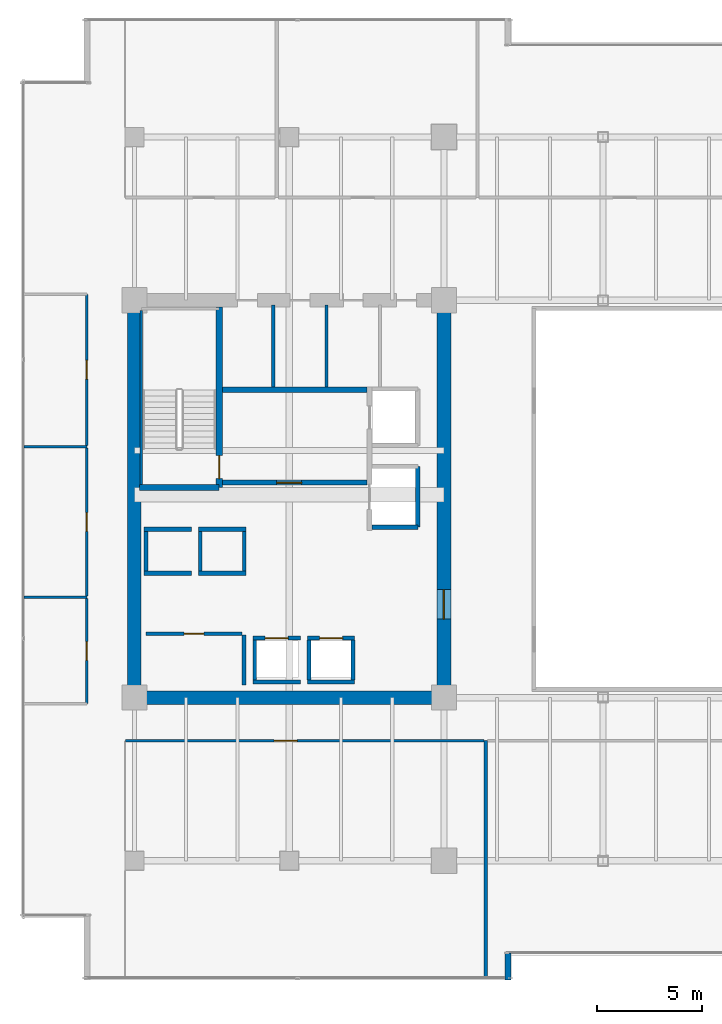
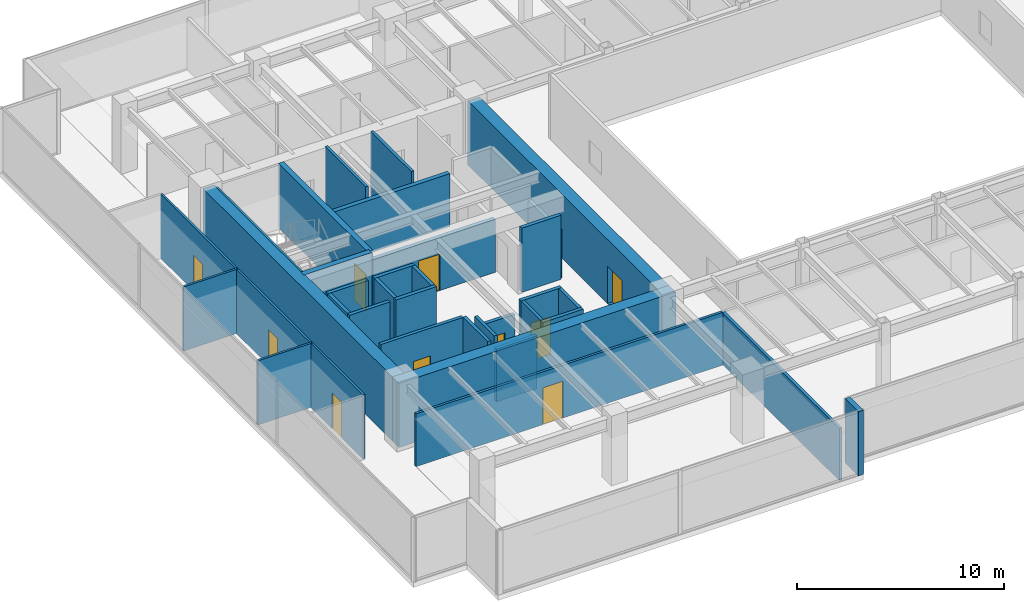
# One storey, part 25 of 33: 36 walls, 10 doors, 10 openings.
"""IFC4 building model written with IfcOpenShell, lengths in metres."""

from ifc_helpers import new_model, si_unit, direction, frame, frame_2d, origin, place, context, subcontext, project, spatial, rectangle, extrude, source, transform, mapped, material, layer, layer_set, type_object, type_shapes, element, fill, save


model = new_model("IFC4")

# Units and contexts
model_context = context("Model", 3, precision=1e-05, world=origin(), true_north=direction((0.0, 1.0)))
body_context = subcontext(model_context, "Body", "Model", "MODEL_VIEW")
ifc_project = project(units=[si_unit("LENGTHUNIT", "METRE"), si_unit("AREAUNIT", "SQUARE_METRE"), si_unit("VOLUMEUNIT", "CUBIC_METRE"), si_unit("PLANEANGLEUNIT", "RADIAN"), si_unit("MASSUNIT", "GRAM", prefix="KILO")], contexts=[model_context])

# Site, building, storey
site_placement = place(None, origin())
site = spatial("IfcSite", under=ifc_project, at=site_placement, CompositionType="ELEMENT")
building_placement = place(site_placement, origin())
building = spatial("IfcBuilding", under=site, at=building_placement, Name="Haelvirn Gate Laboratories", CompositionType="ELEMENT")
storey_placement = place(building_placement, frame((0.0, 0.0, 137.89990234375)))
storey = spatial("IfcBuildingStorey", under=building, at=storey_placement, Name="L33", CompositionType="ELEMENT", Elevation=137.89990234375)

# Walls
ifc_material_1 = material(Name="Thermally-broken bronze aluminium rainscreen & mineral wool", Category="aluminium")
ifc_layer_1 = layer(ifc_material_1, 0.280029296875, Name="EW-TERR-280")
ifc_layer_set_1 = layer_set([ifc_layer_1], Name="Thermally-broken bronze aluminium rainscreen & mineral wool")
wall_type_1 = type_object("IfcWallType", Name="EW-TERR-280", PredefinedType="STANDARD", material=ifc_layer_set_1)
wall_1_placement = place(storey_placement, frame((25.260009765625, 1.300048828125, 0.0), z_axis=(0.0, 0.0, 1.0), x_axis=(0.0, 1.0, 0.0)))
element("IfcWall", 1, at=wall_1_placement, inside=storey, type_object=wall_type_1, Name="L33 Atrium Recess Bronze Return Wall 01", PredefinedType="STANDARD", context=body_context, shape_type="SweptSolid", body=[
    extrude(rectangle(XDim=1.287841796875, YDim=0.280029296875, at=frame_2d((0.64404296875, 0.0))), origin(), (0.0, 0.0, 1.0), 3.7900390625),
])
ifc_material_2 = material(Name="Double-layer acoustic gypsum laboratory partition", Category="gypsum")
ifc_layer_2 = layer(ifc_material_2, 0.159912109375, Name="IW-ACOUST-160")
ifc_layer_set_2 = layer_set([ifc_layer_2], Name="Double-layer acoustic gypsum laboratory partition")
wall_type_2 = type_object("IfcWallType", Name="IW-ACOUST-160", PredefinedType="PARTITIONING", material=ifc_layer_set_2)
wall_2_placement = place(storey_placement, frame((24.199951171875, 1.409912109375, 0.0), z_axis=(0.0, 0.0, 1.0), x_axis=(0.0, 1.0, 0.0)))
element("IfcWall", 2, at=wall_2_placement, inside=storey, type_object=wall_type_2, Name="L33 Interior Wall IW-L33-SDIV-01", PredefinedType="PARTITIONING", context=body_context, shape_type="SweptSolid", body=[
    extrude(rectangle(XDim=11.330078125, YDim=0.159912109375, at=frame_2d((5.6650390625, 0.0))), origin(), (0.0, 0.0, 1.0), 3.0751953125),
])

# Wall, opening, door
ifc_material_3 = material(Name="Lightweight acoustic gypsum board partition", Category="gypsum")
ifc_layer_3 = layer(ifc_material_3, 0.1201171875, Name="IW-PART-120")
ifc_layer_set_3 = layer_set([ifc_layer_3], Name="Lightweight acoustic gypsum board partition")
wall_type_3 = type_object("IfcWallType", Name="IW-PART-120", PredefinedType="PARTITIONING", material=ifc_layer_set_3)
wall_3_placement = place(storey_placement, frame((5.1298828125, 14.514892578125, 0.0), z_axis=(0.0, 0.0, 1.0), x_axis=(0.0, 1.0, 0.0)))
wall_3 = element("IfcWall", 3, at=wall_3_placement, inside=storey, type_object=wall_type_3, Name="L33 Interior Wall IW-L33-WPASS-01", PredefinedType="PARTITIONING", context=body_context, shape_type="SweptSolid", body=[
    extrude(rectangle(XDim=5.025146484375, YDim=0.1201171875, at=frame_2d((2.5126953125, 0.0))), origin(), (0.0, 0.0, 1.0), 3.7900390625),
])
opening_1_placement = place(wall_3_placement, frame((2.0625, 0.0, 0.0)))
opening_1 = element("IfcOpeningElement", 4, at=opening_1_placement, cuts=wall_3, Name="Opening D4", PredefinedType="OPENING", context=body_context, shape_type="SweptSolid", body=[
    extrude(rectangle(XDim=0.89990234375, YDim=2.10009765625, at=frame_2d((0.449951171875, 1.050048828125))), frame((0.0, 0.070068359375, 0.0), z_axis=(0.0, -1.0, 0.0), x_axis=(1.0, 0.0, 0.0)), (0.0, 0.0, 1.0), 0.14013671875),
])
ifc_material_4 = material(Name="Glazed aluminium-framed write-up door", Category="aluminium")
door_type_1 = type_object("IfcDoorType", Name="DR-OFF-900", OperationType="NOTDEFINED", PredefinedType="DOOR", material=ifc_material_4)
shared_shape_1 = source(origin(), body_context, "Body", "SweptSolid", [
    extrude(rectangle(XDim=0.89990234375, YDim=2.10009765625, at=frame_2d((0.449951171875, 1.050048828125))), frame((0.0, 0.02490234375, 0.0), z_axis=(0.0, -1.0, 0.0), x_axis=(1.0, 0.0, 0.0)), (0.0, 0.0, 1.0), 0.050048828125),
])
type_shapes(door_type_1, [shared_shape_1])
door_1_placement = place(opening_1_placement, origin())
door_1 = element("IfcDoor", 5, at=door_1_placement, inside=storey, type_object=door_type_1, Name="L33 Bioprocess Foundry Laboratory Door W1", OperationType="SINGLE_SWING_LEFT", OverallHeight=2.10009765625, OverallWidth=0.89990234375, PredefinedType="DOOR", context=body_context, shape_type="MappedRepresentation", body=[
    mapped(shared_shape_1, transform((0.0, 0.0, 0.0), scale=1.0)),
])
fill(opening_1, door_1)

# Wall
wall_4_placement = place(storey_placement, frame((2.110107421875, 19.60009765625, 0.0), z_axis=(0.0, 0.0, 1.0), x_axis=(1.0, 0.0, 0.0)))
element("IfcWall", 6, at=wall_4_placement, inside=storey, type_object=wall_type_3, Name="L33 Interior Wall IW-L33-WDIV-01", PredefinedType="PARTITIONING", context=body_context, shape_type="SweptSolid", body=[
    extrude(rectangle(XDim=3.019775390625, YDim=0.1201171875, at=frame_2d((1.509765625, 0.0))), origin(), (0.0, 0.0, 1.0), 3.7900390625),
])

# Wall, opening, door
wall_5_placement = place(storey_placement, frame((5.1298828125, 19.659912109375, 0.0), z_axis=(0.0, 0.0, 1.0), x_axis=(0.0, 1.0, 0.0)))
wall_5 = element("IfcWall", 7, at=wall_5_placement, inside=storey, type_object=wall_type_3, Name="L33 Interior Wall IW-L33-WPASS-02", PredefinedType="PARTITIONING", context=body_context, shape_type="SweptSolid", body=[
    extrude(rectangle(XDim=7.080078125, YDim=0.1201171875, at=frame_2d((3.5400390625, 0.0))), origin(), (0.0, 0.0, 1.0), 3.7900390625),
])
opening_2_placement = place(wall_5_placement, frame((3.090087890625, 0.0, 0.0)))
opening_2 = element("IfcOpeningElement", 8, at=opening_2_placement, cuts=wall_5, Name="Opening D4", PredefinedType="OPENING", context=body_context, shape_type="SweptSolid", body=[
    extrude(rectangle(XDim=0.89990234375, YDim=2.10009765625, at=frame_2d((0.449951171875, 1.050048828125))), frame((0.0, 0.070068359375, 0.0), z_axis=(0.0, -1.0, 0.0), x_axis=(1.0, 0.0, 0.0)), (0.0, 0.0, 1.0), 0.14013671875),
])
door_2_placement = place(opening_2_placement, origin())
door_2 = element("IfcDoor", 9, at=door_2_placement, inside=storey, type_object=door_type_1, Name="L33 Genomics Assay Laboratory Door W2", OperationType="SINGLE_SWING_RIGHT", OverallHeight=2.10009765625, OverallWidth=0.89990234375, PredefinedType="DOOR", context=body_context, shape_type="MappedRepresentation", body=[
    mapped(shared_shape_1, transform((0.0, 0.0, 0.0), scale=1.0)),
])
fill(opening_2, door_2)

# Wall
wall_6_placement = place(storey_placement, frame((2.110107421875, 26.800048828125, 0.0), z_axis=(0.0, 0.0, 1.0), x_axis=(1.0, 0.0, 0.0)))
element("IfcWall", 10, at=wall_6_placement, inside=storey, type_object=wall_type_3, Name="L33 Interior Wall IW-L33-WDIV-02", PredefinedType="PARTITIONING", context=body_context, shape_type="SweptSolid", body=[
    extrude(rectangle(XDim=3.019775390625, YDim=0.1201171875, at=frame_2d((1.509765625, 0.0))), origin(), (0.0, 0.0, 1.0), 3.7900390625),
])

# Wall, opening, door
wall_7_placement = place(storey_placement, frame((5.1298828125, 26.860107421875, 0.0), z_axis=(0.0, 0.0, 1.0), x_axis=(0.0, 1.0, 0.0)))
wall_7 = element("IfcWall", 11, at=wall_7_placement, inside=storey, type_object=wall_type_3, Name="L33 Interior Wall IW-L33-WPASS-03", PredefinedType="PARTITIONING", context=body_context, shape_type="SweptSolid", body=[
    extrude(rectangle(XDim=7.224853515625, YDim=0.1201171875, at=frame_2d((3.6123046875, 0.0))), origin(), (0.0, 0.0, 1.0), 3.7900390625),
])
opening_3_placement = place(wall_7_placement, frame((3.16259765625, 0.0, 0.0)))
opening_3 = element("IfcOpeningElement", 12, at=opening_3_placement, cuts=wall_7, Name="Opening D4", PredefinedType="OPENING", context=body_context, shape_type="SweptSolid", body=[
    extrude(rectangle(XDim=0.89990234375, YDim=2.10009765625, at=frame_2d((0.449951171875, 1.050048828125))), frame((0.0, 0.070068359375, 0.0), z_axis=(0.0, -1.0, 0.0), x_axis=(1.0, 0.0, 0.0)), (0.0, 0.0, 1.0), 0.14013671875),
])
door_3_placement = place(opening_3_placement, origin())
door_3 = element("IfcDoor", 13, at=door_3_placement, inside=storey, type_object=door_type_1, Name="L33 Proteomics Mass-Spec Laboratory Door W3", OperationType="SINGLE_SWING_LEFT", OverallHeight=2.10009765625, OverallWidth=0.89990234375, PredefinedType="DOOR", context=body_context, shape_type="MappedRepresentation", body=[
    mapped(shared_shape_1, transform((0.0, 0.0, 0.0), scale=1.0)),
])
fill(opening_3, door_3)

ifc_material_5 = material(Name="Acoustic mineral-wool gypsum board partition", Category="gypsum")
ifc_layer_4 = layer(ifc_material_5, 0.139892578125, Name="IW-PART-140")
ifc_layer_set_4 = layer_set([ifc_layer_4], Name="Acoustic mineral-wool gypsum board partition")
wall_type_4 = type_object("IfcWallType", Name="IW-PART-140", PredefinedType="PARTITIONING", material=ifc_layer_set_4)
wall_8_placement = place(storey_placement, frame((6.97998046875, 12.739990234375, 0.0), z_axis=(0.0, 0.0, 1.0), x_axis=(1.0, 0.0, 0.0)))
wall_8 = element("IfcWall", 14, at=wall_8_placement, inside=storey, type_object=wall_type_4, Name="L33 Interior Wall IW-L33-SCORR-01", PredefinedType="PARTITIONING", context=body_context, shape_type="SweptSolid", body=[
    extrude(rectangle(XDim=17.14013671875, YDim=0.139892578125, at=frame_2d((8.570068359375, 0.0))), origin(), (0.0, 0.0, 1.0), 3.125),
])
opening_4_placement = place(wall_8_placement, frame((7.099609375, 0.0, 0.0)))
opening_4 = element("IfcOpeningElement", 15, at=opening_4_placement, cuts=wall_8, Name="Opening D1", PredefinedType="OPENING", context=body_context, shape_type="SweptSolid", body=[
    extrude(rectangle(XDim=1.10009765625, YDim=2.179931640625, at=frame_2d((0.550048828125, 1.08984375))), frame((0.0, 0.080078125, 0.0), z_axis=(0.0, -1.0, 0.0), x_axis=(1.0, 0.0, 0.0)), (0.0, 0.0, 1.0), 0.159912109375),
])
ifc_material_6 = material(Name="Vision-panel acoustic solid-core timber lab door", Category="wood")
door_type_2 = type_object("IfcDoorType", Name="DR-LAB-1100", OperationType="NOTDEFINED", PredefinedType="DOOR", material=ifc_material_6)
shared_shape_2 = source(origin(), body_context, "Body", "SweptSolid", [
    extrude(rectangle(XDim=1.10009765625, YDim=2.179931640625, at=frame_2d((0.550048828125, 1.08984375))), frame((0.0, 0.02490234375, 0.0), z_axis=(0.0, -1.0, 0.0), x_axis=(1.0, 0.0, 0.0)), (0.0, 0.0, 1.0), 0.050048828125),
])
type_shapes(door_type_2, [shared_shape_2])
door_4_placement = place(opening_4_placement, origin())
door_4 = element("IfcDoor", 16, at=door_4_placement, inside=storey, type_object=door_type_2, Name="L33 Bioinformatics Dry-Lab Workspace Door S1", OperationType="SINGLE_SWING_RIGHT", OverallHeight=2.179931640625, OverallWidth=1.10009765625, PredefinedType="DOOR", context=body_context, shape_type="MappedRepresentation", body=[
    mapped(shared_shape_2, transform((0.0, 0.0, 0.0), scale=1.0)),
])
fill(opening_4, door_4)

# Walls
ifc_material_7 = material(Name="Cement-board restroom plumbing chase wall", Category="gypsum")
ifc_layer_5 = layer(ifc_material_7, 0.155029296875, Name="IW-PLUMB-160")
ifc_layer_set_5 = layer_set([ifc_layer_5], Name="Cement-board restroom plumbing chase wall")
wall_type_5 = type_object("IfcWallType", Name="IW-PLUMB-160", PredefinedType="PLUMBINGWALL", material=ifc_layer_set_5)
for number, where, z_axis, x_axis, name in (
    (17, (14.0400390625, 29.64990234375, 0.0), (0.0, 0.0, 1.0), (0.0, 1.0, 0.0), "L33 Interior Wall IW-L33-W-CDIV-1"),
    (18, (16.590087890625, 29.64990234375, 0.0), (0.0, 0.0, 1.0), (0.0, 1.0, 0.0), "L33 Interior Wall IW-L33-W-CDIV-2"),
):
    element("IfcWall", number, at=place(storey_placement, frame(where, z_axis=z_axis, x_axis=x_axis)), inside=storey, type_object=wall_type_5, Name=name, PredefinedType="PLUMBINGWALL", context=body_context, shape_type="SweptSolid", body=[
        extrude(rectangle(XDim=3.93017578125, YDim=0.155029296875, at=frame_2d((1.965087890625, 0.0))), origin(), (0.0, 0.0, 1.0), 3.7900390625),
    ])
ifc_material_8 = material(Name="Concrete C40/50", Category="concrete")
ifc_layer_6 = layer(ifc_material_8, 0.179931640625, Name="IW-SHAFT-180")
ifc_layer_set_6 = layer_set([ifc_layer_6], Name="Concrete C40/50")
wall_type_6 = type_object("IfcWallType", Name="IW-SHAFT-180", PredefinedType="SOLIDWALL", material=ifc_layer_set_6)
for number, where, z_axis, x_axis, name in (
    (19, (13.14990234375, 15.64990234375, 0.0), (0.0, 0.0, 1.0), (0.0, 1.0, 0.0), "L33 Interior Wall IW-L33-PL5-SD"),
    (20, (15.75, 15.64990234375, 0.0), (0.0, 0.0, 1.0), (0.0, 1.0, 0.0), "L33 Interior Wall IW-L33-PL6-SD"),
    (21, (17.85009765625, 15.64990234375, 0.0), (0.0, 0.0, 1.0), (0.0, 1.0, 0.0), "L33 Interior Wall IW-L33-PL6-SDE"),
):
    element("IfcWall", number, at=place(storey_placement, frame(where, z_axis=z_axis, x_axis=x_axis)), inside=storey, type_object=wall_type_6, Name=name, PredefinedType="SOLIDWALL", context=body_context, shape_type="SweptSolid", body=[
        extrude(rectangle(XDim=1.900146484375, YDim=0.179931640625, at=frame_2d((0.9501953125, 0.0))), origin(), (0.0, 0.0, 1.0), 3.7900390625),
    ])
for number, where, z_axis, x_axis, name in (
    (22, (7.949951171875, 20.85009765625, 0.0), (0.0, 0.0, 1.0), (0.0, 1.0, 0.0), "L33 Interior Wall IW-L33-PL9-SD"),
    (23, (10.550048828125, 20.85009765625, 0.0), (0.0, 0.0, 1.0), (0.0, 1.0, 0.0), "L33 Interior Wall IW-L33-PL10-SD"),
    (24, (12.64990234375, 20.85009765625, 0.0), (0.0, 0.0, 1.0), (0.0, 1.0, 0.0), "L33 Interior Wall IW-L33-PL10-SDE"),
):
    element("IfcWall", number, at=place(storey_placement, frame(where, z_axis=z_axis, x_axis=x_axis)), inside=storey, type_object=wall_type_6, Name=name, PredefinedType="SOLIDWALL", context=body_context, shape_type="SweptSolid", body=[
        extrude(rectangle(XDim=1.89990234375, YDim=0.179931640625, at=frame_2d((0.949951171875, 0.0))), origin(), (0.0, 0.0, 1.0), 3.7900390625),
    ])

# Wall, opening, door
wall_9_placement = place(storey_placement, frame((7.949951171875, 17.85009765625, 0.0), z_axis=(0.0, 0.0, 1.0), x_axis=(1.0, 0.0, 0.0)))
wall_9 = element("IfcWall", 25, at=wall_9_placement, inside=storey, type_object=wall_type_6, Name="L33 Interior Wall IW-L33-W-FREED-LN-1", PredefinedType="SOLIDWALL", context=body_context, shape_type="SweptSolid", body=[
    extrude(rectangle(XDim=4.60009765625, YDim=0.179931640625, at=frame_2d((2.300048828125, 0.0))), origin(), (0.0, 0.0, 1.0), 3.7900390625),
])
opening_5_placement = place(wall_9_placement, frame((1.824951171875, 0.0, 0.0)))
opening_5 = element("IfcOpeningElement", 26, at=opening_5_placement, cuts=wall_9, Name="Opening FD4", PredefinedType="OPENING", context=body_context, shape_type="SweptSolid", body=[
    extrude(rectangle(XDim=0.949951171875, YDim=2.14990234375, at=frame_2d((0.47509765625, 1.074951171875))), frame((0.0, 0.10009765625, 0.0), z_axis=(0.0, -1.0, 0.0), x_axis=(1.0, 0.0, 0.0)), (0.0, 0.0, 1.0), 0.199951171875),
])
ifc_material_9 = material(Name="Fire-rated steel SM355 core service door", Category="steel")
door_type_3 = type_object("IfcDoorType", Name="DR-FD-950", OperationType="NOTDEFINED", PredefinedType="DOOR", material=ifc_material_9)
shared_shape_3 = source(origin(), body_context, "Body", "SweptSolid", [
    extrude(rectangle(XDim=0.949951171875, YDim=2.14990234375, at=frame_2d((0.47509765625, 1.074951171875))), frame((0.0, 0.02490234375, 0.0), z_axis=(0.0, -1.0, 0.0), x_axis=(1.0, 0.0, 0.0)), (0.0, 0.0, 1.0), 0.050048828125),
])
type_shapes(door_type_3, [shared_shape_3])
door_5_placement = place(opening_5_placement, origin())
door_5 = element("IfcDoor", 27, at=door_5_placement, inside=storey, type_object=door_type_3, Name="L33 Autoclave & Glasswash Room Door", OperationType="SINGLE_SWING_LEFT", OverallHeight=2.14990234375, OverallWidth=0.949951171875, PredefinedType="DOOR", context=body_context, shape_type="MappedRepresentation", body=[
    mapped(shared_shape_3, transform((0.0, 0.0, 0.0), scale=1.0)),
])
fill(opening_5, door_5)

# Wall
wall_10_placement = place(storey_placement, frame((12.639892578125, 15.39990234375, 0.0), z_axis=(0.0, 0.0, 1.0), x_axis=(0.0, 1.0, 0.0)))
element("IfcWall", 28, at=wall_10_placement, inside=storey, type_object=wall_type_6, Name="L33 Interior Wall IW-L33-W-FREED-LE-1", PredefinedType="SOLIDWALL", context=body_context, shape_type="SweptSolid", body=[
    extrude(rectangle(XDim=2.400146484375, YDim=0.179931640625, at=frame_2d((1.2001953125, 0.0))), origin(), (0.0, 0.0, 1.0), 3.7900390625),
])

# Wall, opening, door
ifc_layer_7 = layer(ifc_material_8, 0.199951171875, Name="IW-SHAFT-200")
ifc_layer_set_7 = layer_set([ifc_layer_7], Name="Concrete C40/50")
wall_type_7 = type_object("IfcWallType", Name="IW-SHAFT-200", PredefinedType="SOLIDWALL", material=ifc_layer_set_7)
wall_11_placement = place(storey_placement, frame((13.070068359375, 17.64990234375, 0.0), z_axis=(0.0, 0.0, 1.0), x_axis=(1.0, 0.0, 0.0)))
wall_11 = element("IfcWall", 29, at=wall_11_placement, inside=storey, type_object=wall_type_7, Name="L33 Interior Wall IW-L33-PL5-FR", PredefinedType="SOLIDWALL", context=body_context, shape_type="SweptSolid", body=[
    extrude(rectangle(XDim=2.260009765625, YDim=0.199951171875, at=frame_2d((1.1298828125, 0.0))), origin(), (0.0, 0.0, 1.0), 3.125),
])
opening_6_placement = place(wall_11_placement, frame((0.580078125, 0.0, 0.0)))
opening_6 = element("IfcOpeningElement", 30, at=opening_6_placement, cuts=wall_11, Name="Opening LD2", PredefinedType="OPENING", context=body_context, shape_type="SweptSolid", body=[
    extrude(rectangle(XDim=1.10009765625, YDim=2.219970703125, at=frame_2d((0.550048828125, 1.10986328125))), frame((0.0, 0.10986328125, 0.0), z_axis=(0.0, -1.0, 0.0), x_axis=(1.0, 0.0, 0.0)), (0.0, 0.0, 1.0), 0.219970703125),
])
ifc_material_10 = material(Name="Bronze stainless 316L sliding lift landing door")
door_type_4 = type_object("IfcDoorType", Name="DR-LD-1100", OperationType="NOTDEFINED", PredefinedType="USERDEFINED", material=ifc_material_10)
shared_shape_4 = source(origin(), body_context, "Body", "SweptSolid", [
    extrude(rectangle(XDim=1.10009765625, YDim=2.219970703125, at=frame_2d((0.550048828125, 1.10986328125))), frame((0.0, 0.02490234375, 0.0), z_axis=(0.0, -1.0, 0.0), x_axis=(1.0, 0.0, 0.0)), (0.0, 0.0, 1.0), 0.050048828125),
])
type_shapes(door_type_4, [shared_shape_4])
door_6_placement = place(opening_6_placement, origin())
door_6 = element("IfcDoor", 31, at=door_6_placement, inside=storey, type_object=door_type_4, Name="L33 Passenger Lift PL5 Landing Door", ObjectType="LANDING_DOOR", OperationType="SLIDING_TO_LEFT", OverallHeight=2.219970703125, OverallWidth=1.10009765625, PredefinedType="USERDEFINED", context=body_context, shape_type="MappedRepresentation", body=[
    mapped(shared_shape_4, transform((0.0, 0.0, 0.0), scale=1.0)),
])
fill(opening_6, door_6)

# Wall
wall_12_placement = place(storey_placement, frame((13.070068359375, 15.550048828125, 0.0), z_axis=(0.0, 0.0, 1.0), x_axis=(1.0, 0.0, 0.0)))
element("IfcWall", 32, at=wall_12_placement, inside=storey, type_object=wall_type_7, Name="L33 Interior Wall IW-L33-PL5-BK", PredefinedType="SOLIDWALL", context=body_context, shape_type="SweptSolid", body=[
    extrude(rectangle(XDim=2.260009765625, YDim=0.199951171875, at=frame_2d((1.1298828125, 0.0))), origin(), (0.0, 0.0, 1.0), 3.125),
])

# Wall, opening, door
wall_13_placement = place(storey_placement, frame((15.669921875, 17.64990234375, 0.0), z_axis=(0.0, 0.0, 1.0), x_axis=(1.0, 0.0, 0.0)))
wall_13 = element("IfcWall", 33, at=wall_13_placement, inside=storey, type_object=wall_type_7, Name="L33 Interior Wall IW-L33-PL6-FR", PredefinedType="SOLIDWALL", context=body_context, shape_type="SweptSolid", body=[
    extrude(rectangle(XDim=2.260009765625, YDim=0.199951171875, at=frame_2d((1.1298828125, 0.0))), origin(), (0.0, 0.0, 1.0), 3.7900390625),
])
opening_7_placement = place(wall_13_placement, frame((0.580078125, 0.0, 0.0)))
opening_7 = element("IfcOpeningElement", 34, at=opening_7_placement, cuts=wall_13, Name="Opening LD2", PredefinedType="OPENING", context=body_context, shape_type="SweptSolid", body=[
    extrude(rectangle(XDim=1.10009765625, YDim=2.219970703125, at=frame_2d((0.550048828125, 1.10986328125))), frame((0.0, 0.10986328125, 0.0), z_axis=(0.0, -1.0, 0.0), x_axis=(1.0, 0.0, 0.0)), (0.0, 0.0, 1.0), 0.219970703125),
])
door_7_placement = place(opening_7_placement, origin())
door_7 = element("IfcDoor", 35, at=door_7_placement, inside=storey, type_object=door_type_4, Name="L33 Passenger Lift PL6 Landing Door", ObjectType="LANDING_DOOR", OperationType="SLIDING_TO_RIGHT", OverallHeight=2.219970703125, OverallWidth=1.10009765625, PredefinedType="USERDEFINED", context=body_context, shape_type="MappedRepresentation", body=[
    mapped(shared_shape_4, transform((0.0, 0.0, 0.0), scale=1.0)),
])
fill(opening_7, door_7)

# Walls
wall_14_placement = place(storey_placement, frame((15.669921875, 15.550048828125, 0.0), z_axis=(0.0, 0.0, 1.0), x_axis=(1.0, 0.0, 0.0)))
element("IfcWall", 36, at=wall_14_placement, inside=storey, type_object=wall_type_7, Name="L33 Interior Wall IW-L33-PL6-BK", PredefinedType="SOLIDWALL", context=body_context, shape_type="SweptSolid", body=[
    extrude(rectangle(XDim=2.260009765625, YDim=0.199951171875, at=frame_2d((1.1298828125, 0.0))), origin(), (0.0, 0.0, 1.0), 3.7900390625),
])
for number, where, z_axis, x_axis, name in (
    (37, (7.8701171875, 20.75, 0.0), (0.0, 0.0, 1.0), (1.0, 0.0, 0.0), "L33 Interior Wall IW-L33-PL9-FR"),
    (38, (7.8701171875, 22.85009765625, 0.0), (0.0, 0.0, 1.0), (1.0, 0.0, 0.0), "L33 Interior Wall IW-L33-PL9-BK"),
):
    element("IfcWall", number, at=place(storey_placement, frame(where, z_axis=z_axis, x_axis=x_axis)), inside=storey, type_object=wall_type_7, Name=name, PredefinedType="SOLIDWALL", context=body_context, shape_type="SweptSolid", body=[
        extrude(rectangle(XDim=2.259765625, YDim=0.199951171875, at=frame_2d((1.1298828125, 0.0))), origin(), (0.0, 0.0, 1.0), 3.7900390625),
    ])
for number, where, z_axis, x_axis, name in (
    (39, (10.469970703125, 20.75, 0.0), (0.0, 0.0, 1.0), (1.0, 0.0, 0.0), "L33 Interior Wall IW-L33-PL10-FR"),
    (40, (10.469970703125, 22.85009765625, 0.0), (0.0, 0.0, 1.0), (1.0, 0.0, 0.0), "L33 Interior Wall IW-L33-PL10-BK"),
):
    element("IfcWall", number, at=place(storey_placement, frame(where, z_axis=z_axis, x_axis=x_axis)), inside=storey, type_object=wall_type_7, Name=name, PredefinedType="SOLIDWALL", context=body_context, shape_type="SweptSolid", body=[
        extrude(rectangle(XDim=2.260009765625, YDim=0.199951171875, at=frame_2d((1.1298828125, 0.0))), origin(), (0.0, 0.0, 1.0), 3.7900390625),
    ])
wall_15_placement = place(storey_placement, frame((20.949951171875, 22.949951171875, 0.0), z_axis=(0.0, 0.0, 1.0), x_axis=(0.0, 1.0, 0.0)))
element("IfcWall", 41, at=wall_15_placement, inside=storey, type_object=wall_type_7, Name="L33 Interior Wall IW-L33-SL1-BK", PredefinedType="SOLIDWALL", context=body_context, shape_type="SweptSolid", body=[
    extrude(rectangle(XDim=2.900146484375, YDim=0.199951171875, at=frame_2d((1.4501953125, 0.0))), origin(), (0.0, 0.0, 1.0), 2.875),
])
wall_16_placement = place(storey_placement, frame((18.760009765625, 22.949951171875, 0.0), z_axis=(0.0, 0.0, 1.0), x_axis=(1.0, 0.0, 0.0)))
element("IfcWall", 42, at=wall_16_placement, inside=storey, type_object=wall_type_7, Name="L33 Interior Wall IW-L33-SL1-S", PredefinedType="SOLIDWALL", context=body_context, shape_type="SweptSolid", body=[
    extrude(rectangle(XDim=2.18994140625, YDim=0.199951171875, at=frame_2d((1.094970703125, 0.0))), origin(), (0.0, 0.0, 1.0), 3.7900390625),
])

# Wall, opening, door
ifc_layer_8 = layer(ifc_material_8, 0.239990234375, Name="IW-SHAFT-240")
ifc_layer_set_8 = layer_set([ifc_layer_8], Name="Concrete C40/50")
wall_type_8 = type_object("IfcWallType", Name="IW-SHAFT-240", PredefinedType="SOLIDWALL", material=ifc_layer_set_8)
wall_17_placement = place(storey_placement, frame((11.60009765625, 25.080078125, 0.0), z_axis=(0.0, 0.0, 1.0), x_axis=(1.0, 0.0, 0.0)))
wall_17 = element("IfcWall", 43, at=wall_17_placement, inside=storey, type_object=wall_type_8, Name="L33 Interior Wall IW-L33-W-FF-S", PredefinedType="SOLIDWALL", context=body_context, shape_type="SweptSolid", body=[
    extrude(rectangle(XDim=6.919921875, YDim=0.239990234375, at=frame_2d((3.4599609375, 0.0))), origin(), (0.0, 0.0, 1.0), 3.125),
])
opening_8_placement = place(wall_17_placement, frame((2.60009765625, 0.0, 0.0)))
opening_8 = element("IfcOpeningElement", 44, at=opening_8_placement, cuts=wall_17, Name="Opening FD2", PredefinedType="OPENING", context=body_context, shape_type="SweptSolid", body=[
    extrude(rectangle(XDim=1.199951171875, YDim=2.159912109375, at=frame_2d((0.60009765625, 1.080078125))), frame((0.0, 0.1298828125, 0.0), z_axis=(0.0, -1.0, 0.0), x_axis=(1.0, 0.0, 0.0)), (0.0, 0.0, 1.0), 0.260009765625),
])
ifc_material_11 = material(Name="Fire-rated steel SM355 compartment door", Category="steel")
door_type_5 = type_object("IfcDoorType", Name="DR-FD-1200", OperationType="NOTDEFINED", PredefinedType="DOOR", material=ifc_material_11)
shared_shape_5 = source(origin(), body_context, "Body", "SweptSolid", [
    extrude(rectangle(XDim=1.199951171875, YDim=2.159912109375, at=frame_2d((0.60009765625, 1.080078125))), frame((0.0, 0.02490234375, 0.0), z_axis=(0.0, -1.0, 0.0), x_axis=(1.0, 0.0, 0.0)), (0.0, 0.0, 1.0), 0.050048828125),
])
type_shapes(door_type_5, [shared_shape_5])
door_8_placement = place(opening_8_placement, origin())
door_8 = element("IfcDoor", 45, at=door_8_placement, inside=storey, type_object=door_type_5, Name="L33 West Firefighting Lobby Door", OperationType="SINGLE_SWING_RIGHT", OverallHeight=2.159912109375, OverallWidth=1.199951171875, PredefinedType="DOOR", context=body_context, shape_type="MappedRepresentation", body=[
    mapped(shared_shape_5, transform((0.0, 0.0, 0.0), scale=1.0)),
])
fill(opening_8, door_8)

# Walls
wall_18_placement = place(storey_placement, frame((11.60009765625, 29.52001953125, 0.0), z_axis=(0.0, 0.0, 1.0), x_axis=(1.0, 0.0, 0.0)))
element("IfcWall", 46, at=wall_18_placement, inside=storey, type_object=wall_type_8, Name="L33 Interior Wall IW-L33-W-FF-N", PredefinedType="SOLIDWALL", context=body_context, shape_type="SweptSolid", body=[
    extrude(rectangle(XDim=6.919921875, YDim=0.239990234375, at=frame_2d((3.4599609375, 0.0))), origin(), (0.0, 0.0, 1.0), 3.125),
])
ifc_material_12 = material(Name="Concrete C60/75", Category="concrete")
ifc_layer_9 = layer(ifc_material_12, 0.64990234375, Name="SW-CORE-650")
ifc_layer_set_9 = layer_set([ifc_layer_9], Name="Concrete C60/75")
wall_type_9 = type_object("IfcWallType", Name="SW-CORE-650", PredefinedType="SHEAR", material=ifc_layer_set_9)
wall_19_placement = place(storey_placement, frame((7.074951171875, 14.800048828125, 0.0), z_axis=(0.0, 0.0, 1.0), x_axis=(1.0, 0.0, 0.0)))
element("IfcWall", 47, at=wall_19_placement, inside=storey, type_object=wall_type_9, Name="L33 W Core Shear Wall S", PredefinedType="SHEAR", context=body_context, shape_type="SweptSolid", body=[
    extrude(rectangle(XDim=15.449951171875, YDim=0.64990234375, at=frame_2d((7.72509765625, 0.0))), origin(), (0.0, 0.0, 1.0), 3.7900390625),
])
wall_20_placement = place(storey_placement, frame((7.39990234375, 15.125, 0.0), z_axis=(0.0, 0.0, 1.0), x_axis=(0.0, 1.0, 0.0)))
element("IfcWall", 48, at=wall_20_placement, inside=storey, type_object=wall_type_9, Name="L33 W Core Shear Wall W", PredefinedType="SHEAR", context=body_context, shape_type="SweptSolid", body=[
    extrude(rectangle(XDim=18.35009765625, YDim=0.64990234375, at=frame_2d((9.175048828125, 0.0))), origin(), (0.0, 0.0, 1.0), 3.7900390625),
])

# Wall, opening, door
wall_21_placement = place(storey_placement, frame((22.199951171875, 15.125, 0.0), z_axis=(0.0, 0.0, 1.0), x_axis=(0.0, 1.0, 0.0)))
wall_21 = element("IfcWall", 49, at=wall_21_placement, inside=storey, type_object=wall_type_9, Name="L33 W Core Shear Wall E", PredefinedType="SHEAR", context=body_context, shape_type="SweptSolid", body=[
    extrude(rectangle(XDim=18.35009765625, YDim=0.64990234375, at=frame_2d((9.175048828125, 0.0))), origin(), (0.0, 0.0, 1.0), 3.7900390625),
])
opening_9_placement = place(wall_21_placement, frame((3.425048828125, 0.0, 0.0)))
opening_9 = element("IfcOpeningElement", 50, at=opening_9_placement, cuts=wall_21, Name="Opening FD1", PredefinedType="OPENING", context=body_context, shape_type="SweptSolid", body=[
    extrude(rectangle(XDim=1.419921875, YDim=2.199951171875, at=frame_2d((0.7099609375, 1.10009765625))), frame((0.0, 0.3349609375, 0.0), z_axis=(0.0, -1.0, 0.0), x_axis=(1.0, 0.0, 0.0)), (0.0, 0.0, 1.0), 0.669921875),
])
ifc_material_13 = material(Name="Fire-rated double steel SM355 lobby door", Category="steel")
door_type_6 = type_object("IfcDoorType", Name="DR-FD-1400", OperationType="NOTDEFINED", PredefinedType="DOOR", material=ifc_material_13)
shared_shape_6 = source(origin(), body_context, "Body", "SweptSolid", [
    extrude(rectangle(XDim=1.419921875, YDim=2.199951171875, at=frame_2d((0.7099609375, 1.10009765625))), frame((0.0, 0.02490234375, 0.0), z_axis=(0.0, -1.0, 0.0), x_axis=(1.0, 0.0, 0.0)), (0.0, 0.0, 1.0), 0.050048828125),
])
type_shapes(door_type_6, [shared_shape_6])
door_9_placement = place(opening_9_placement, origin())
door_9 = element("IfcDoor", 51, at=door_9_placement, inside=storey, type_object=door_type_6, Name="L33 West Core Lift Lobby Fire Door", OperationType="DOUBLE_DOOR_SINGLE_SWING", OverallHeight=2.199951171875, OverallWidth=1.419921875, PredefinedType="DOOR", context=body_context, shape_type="MappedRepresentation", body=[
    mapped(shared_shape_6, transform((0.0, 0.0, 0.0), scale=1.0)),
])
fill(opening_9, door_9)

# Wall
ifc_material_14 = material(Name="Concrete C50/60", Category="concrete")
ifc_layer_10 = layer(ifc_material_14, 0.1201171875, Name="SW-LINER-120")
ifc_layer_set_10 = layer_set([ifc_layer_10], Name="Concrete C50/60")
wall_type_10 = type_object("IfcWallType", Name="SW-LINER-120", PredefinedType="SOLIDWALL", material=ifc_layer_set_10)
wall_22_placement = place(storey_placement, frame((7.72998046875, 25.0, 0.0), z_axis=(0.0, 0.0, 1.0), x_axis=(0.0, 1.0, 0.0)))
element("IfcWall", 52, at=wall_22_placement, inside=storey, type_object=wall_type_10, Name="L33 W Core Stair Shaft Liner Wall OUT", PredefinedType="SOLIDWALL", context=body_context, shape_type="SweptSolid", body=[
    extrude(rectangle(XDim=8.320068359375, YDim=0.1201171875, at=frame_2d((4.16015625, 0.0))), origin(), (0.0, 0.0, 1.0), 3.7900390625),
])

# Wall, opening, door
ifc_layer_11 = layer(ifc_material_14, 0.300048828125, Name="SW-STAIR-300")
ifc_layer_set_11 = layer_set([ifc_layer_11], Name="Concrete C50/60")
wall_type_11 = type_object("IfcWallType", Name="SW-STAIR-300", PredefinedType="SHEAR", material=ifc_layer_set_11)
wall_23_placement = place(storey_placement, frame((11.449951171875, 24.85009765625, 0.0), z_axis=(0.0, 0.0, 1.0), x_axis=(0.0, 1.0, 0.0)))
wall_23 = element("IfcWall", 53, at=wall_23_placement, inside=storey, type_object=wall_type_11, Name="L33 W Core Stair Shaft Structural Wall IN", PredefinedType="SHEAR", context=body_context, shape_type="SweptSolid", body=[
    extrude(rectangle(XDim=8.6298828125, YDim=0.300048828125, at=frame_2d((4.31494140625, 0.0))), origin(), (0.0, 0.0, 1.0), 3.7900390625),
])
opening_10_placement = place(wall_23_placement, frame((0.419921875, 0.0, 0.0)))
opening_10 = element("IfcOpeningElement", 54, at=opening_10_placement, cuts=wall_23, Name="Opening FD3", PredefinedType="OPENING", context=body_context, shape_type="SweptSolid", body=[
    extrude(rectangle(XDim=1.10009765625, YDim=2.14990234375, at=frame_2d((0.550048828125, 1.074951171875))), frame((0.0, 0.16015625, 0.0), z_axis=(0.0, -1.0, 0.0), x_axis=(1.0, 0.0, 0.0)), (0.0, 0.0, 1.0), 0.320068359375),
])
ifc_material_15 = material(Name="Fire-rated steel SM355 escape stair door", Category="steel")
door_type_7 = type_object("IfcDoorType", Name="DR-FD-1100", OperationType="NOTDEFINED", PredefinedType="DOOR", material=ifc_material_15)
shared_shape_7 = source(origin(), body_context, "Body", "SweptSolid", [
    extrude(rectangle(XDim=1.10009765625, YDim=2.14990234375, at=frame_2d((0.550048828125, 1.074951171875))), frame((0.0, 0.02490234375, 0.0), z_axis=(0.0, -1.0, 0.0), x_axis=(1.0, 0.0, 0.0)), (0.0, 0.0, 1.0), 0.050048828125),
])
type_shapes(door_type_7, [shared_shape_7])
door_10_placement = place(opening_10_placement, origin())
door_10 = element("IfcDoor", 55, at=door_10_placement, inside=storey, type_object=door_type_7, Name="L33 Escape Stair ST1 Fire Door", OperationType="SINGLE_SWING_LEFT", OverallHeight=2.14990234375, OverallWidth=1.10009765625, PredefinedType="DOOR", context=body_context, shape_type="MappedRepresentation", body=[
    mapped(shared_shape_7, transform((0.0, 0.0, 0.0), scale=1.0)),
])
fill(opening_10, door_10)

# Wall
wall_24_placement = place(storey_placement, frame((7.64990234375, 24.85009765625, 0.0), z_axis=(0.0, 0.0, 1.0), x_axis=(1.0, 0.0, 0.0)))
element("IfcWall", 56, at=wall_24_placement, inside=storey, type_object=wall_type_11, Name="L33 W Core Stair Shaft Structural Wall S", PredefinedType="SHEAR", context=body_context, shape_type="SweptSolid", body=[
    extrude(rectangle(XDim=3.800048828125, YDim=0.300048828125, at=frame_2d((1.89990234375, 0.0))), origin(), (0.0, 0.0, 1.0), 3.7900390625),
])

save(model, "model.ifc")
